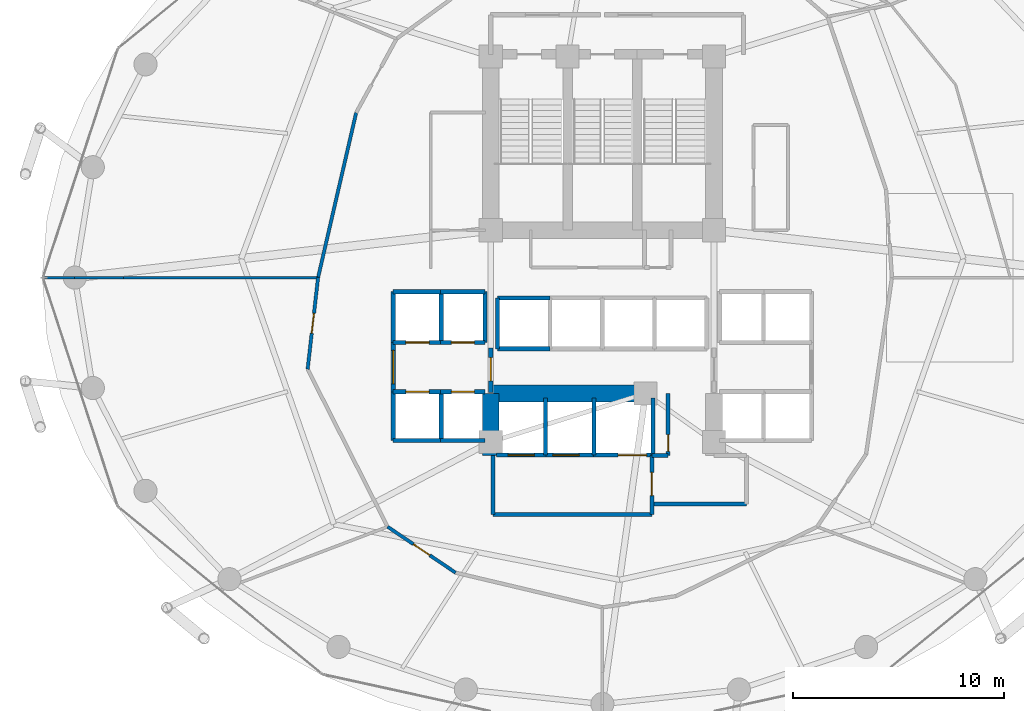
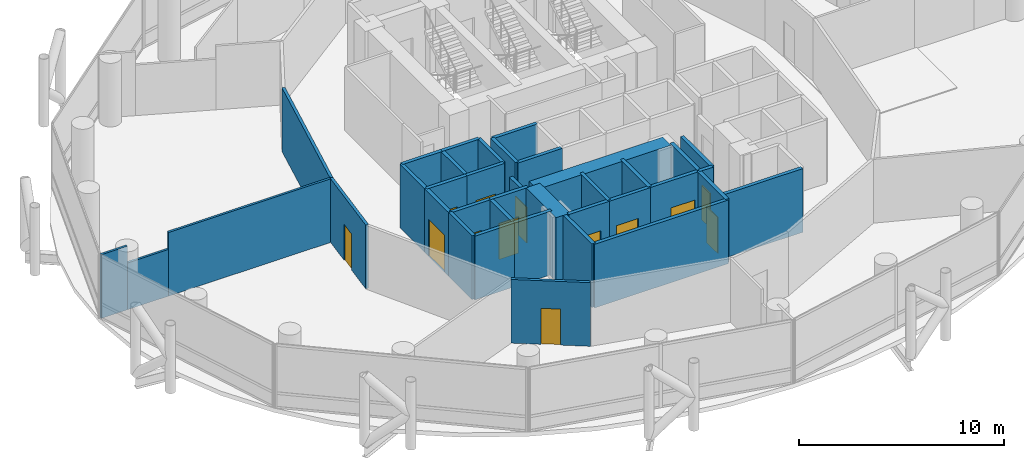
# One storey, part 21 of 26: 38 walls, 13 doors, 13 openings.
"""IFC4 building model written with IfcOpenShell, lengths in metres."""

from ifc_helpers import new_model, si_unit, direction, frame, frame_2d, origin, place, context, subcontext, project, spatial, rectangle, extrude, material, layer, layer_set, type_object, element, fill, save


model = new_model("IFC4")

# Units and contexts
model_context = context("Model", 3, precision=1e-05, world=origin(), true_north=direction((0.0, 1.0)))
body_context = subcontext(model_context, "Body", "Model", "MODEL_VIEW")
ifc_project = project(units=[si_unit("LENGTHUNIT", "METRE"), si_unit("AREAUNIT", "SQUARE_METRE"), si_unit("VOLUMEUNIT", "CUBIC_METRE"), si_unit("PLANEANGLEUNIT", "RADIAN"), si_unit("MASSUNIT", "GRAM", prefix="KILO")], contexts=[model_context])

# Site, building, storey
site_placement = place(None, origin())
site = spatial("IfcSite", under=ifc_project, at=site_placement, CompositionType="ELEMENT")
building_placement = place(site_placement, origin())
building = spatial("IfcBuilding", under=site, at=building_placement, Name="Nuhasar Tower", CompositionType="ELEMENT")
storey_placement = place(building_placement, frame((0.0, 0.0, 53.39990234375)))
storey = spatial("IfcBuildingStorey", under=building, at=storey_placement, Name="L12", CompositionType="ELEMENT", Elevation=53.39990234375)

# Walls
ifc_material_1 = material(Name="Concrete C80/95", Category="concrete")
ifc_layer_1 = layer(ifc_material_1, 0.800048828125)
ifc_layer_set_1 = layer_set([ifc_layer_1], Name="Concrete C80/95")
wall_type_1 = type_object("IfcWallType", Name="WL-CORE-800", PredefinedType="SHEAR", material=ifc_layer_set_1)
wall_1_placement = place(storey_placement, frame((33.699951171875, 18.35009765625, 0.0), z_axis=(0.0, 0.0, 1.0), x_axis=(0.0, 1.0, 0.0)))
element("IfcWall", 1, at=wall_1_placement, inside=storey, type_object=wall_type_1, Name="L12 Core Shear Wall CW-SW CW-800", PredefinedType="SHEAR", context=body_context, shape_type="SweptSolid", body=[
    extrude(rectangle(XDim=2.949951171875, YDim=0.800048828125, at=frame_2d((1.47509765625, 0.0))), origin(), (0.0, 0.0, 1.0), 3.800048828125),
])
wall_2_placement = place(storey_placement, frame((33.699951171875, 21.300048828125, 0.0), z_axis=(0.0, 0.0, 1.0), x_axis=(1.0, 0.0, 0.0)))
element("IfcWall", 2, at=wall_2_placement, inside=storey, type_object=wall_type_1, Name="L12 Core Shear Wall CW-S1 CW-800", PredefinedType="SHEAR", context=body_context, shape_type="SweptSolid", body=[
    extrude(rectangle(XDim=7.550048828125, YDim=0.800048828125, at=frame_2d((3.77490234375, 0.0))), origin(), (0.0, 0.0, 1.0), 3.800048828125),
])
ifc_material_2 = material(Name="Gypsum Board", Category="gypsum")
ifc_layer_2 = layer(ifc_material_2, 0.159912109375)
ifc_layer_set_2 = layer_set([ifc_layer_2], Name="Gypsum Board")
wall_type_2 = type_object("IfcWallType", Name="WL-CORR-160", PredefinedType="PARTITIONING", material=ifc_layer_set_2)
wall_3_placement = place(storey_placement, frame((27.30908203125, 34.6298828125, 0.0), z_axis=(0.0, 0.0, 1.0), x_axis=(-0.225119097915, -0.974331253606, 0.0)))
element("IfcWall", 3, at=wall_3_placement, inside=storey, type_object=wall_type_2, Name="L12 Interior Partition CORR-20", PredefinedType="PARTITIONING", context=body_context, shape_type="SweptSolid", body=[
    extrude(rectangle(XDim=8.0361328125, YDim=0.159912109375, at=frame_2d((4.01806640625, 0.0))), origin(), (0.0, 0.0, 1.0), 3.800048828125),
])

# Wall, opening, door
wall_4_placement = place(storey_placement, frame((25.0048828125, 22.449951171875, 0.0), z_axis=(0.0, 0.0, 1.0), x_axis=(0.113087354365, 0.993585049345, 0.0)))
wall_4 = element("IfcWall", 4, at=wall_4_placement, inside=storey, type_object=wall_type_2, Name="L12 Interior Partition CORR-24", PredefinedType="PARTITIONING", context=body_context, shape_type="SweptSolid", body=[
    extrude(rectangle(XDim=4.378173828125, YDim=0.159912109375, at=frame_2d((2.18896484375, 0.0))), origin(), (0.0, 0.0, 1.0), 3.800048828125),
])
opening_1_placement = place(wall_4_placement, frame((1.714111328125, 0.0, 0.0)))
opening_1 = element("IfcOpeningElement", 5, at=opening_1_placement, cuts=wall_4, Name="Opening DO-01", PredefinedType="OPENING", context=body_context, shape_type="SweptSolid", body=[
    extrude(rectangle(XDim=0.949951171875, YDim=2.14990234375, at=frame_2d((0.47509765625, 1.074951171875))), frame((0.0, 0.08984375, 0.0), z_axis=(0.0, -1.0, 0.0), x_axis=(1.0, 0.0, 0.0)), (0.0, 0.0, 1.0), 0.179931640625),
])
ifc_material_3 = material(Name="Timber Oak", Category="wood")
door_type_1 = type_object("IfcDoorType", Name="DR-OFFICE-FD30-950", OperationType="NOTDEFINED", PredefinedType="DOOR", material=ifc_material_3)
door_1_placement = place(opening_1_placement, origin())
door_1 = element("IfcDoor", 6, at=door_1_placement, inside=storey, type_object=door_type_1, Name="L12 Law Reference Library Entry Door", OperationType="SINGLE_SWING_LEFT", OverallHeight=2.14990234375, OverallWidth=0.949951171875, PredefinedType="DOOR", context=body_context, shape_type="SweptSolid", body=[
    extrude(rectangle(XDim=0.949951171875, YDim=2.14990234375, at=frame_2d((0.47509765625, 1.074951171875))), frame((0.0, 0.02490234375, 0.0), z_axis=(0.0, -1.0, 0.0), x_axis=(1.0, 0.0, 0.0)), (0.0, 0.0, 1.0), 0.050048828125),
])
fill(opening_1, door_1)

wall_5_placement = place(storey_placement, frame((32.027099609375, 12.7900390625, 0.0), z_axis=(0.0, 0.0, 1.0), x_axis=(-0.828570886609, 0.559884171828, 0.0)))
wall_5 = element("IfcWall", 7, at=wall_5_placement, inside=storey, type_object=wall_type_2, Name="L12 Interior Partition CORR-30", PredefinedType="PARTITIONING", context=body_context, shape_type="SweptSolid", body=[
    extrude(rectangle(XDim=3.8935546875, YDim=0.159912109375, at=frame_2d((1.94677734375, 0.0))), origin(), (0.0, 0.0, 1.0), 3.800048828125),
])
opening_2_placement = place(wall_5_placement, frame((1.471923828125, 0.0, 0.0)))
opening_2 = element("IfcOpeningElement", 8, at=opening_2_placement, cuts=wall_5, Name="Opening DO-01", PredefinedType="OPENING", context=body_context, shape_type="SweptSolid", body=[
    extrude(rectangle(XDim=0.949951171875, YDim=2.14990234375, at=frame_2d((0.47509765625, 1.074951171875))), frame((0.0, 0.08984375, 0.0), z_axis=(0.0, -1.0, 0.0), x_axis=(1.0, 0.0, 0.0)), (0.0, 0.0, 1.0), 0.179931640625),
])
door_2_placement = place(opening_2_placement, origin())
door_2 = element("IfcDoor", 9, at=door_2_placement, inside=storey, type_object=door_type_1, Name="L12 Legal Chambers C Entry Door", OperationType="SINGLE_SWING_LEFT", OverallHeight=2.14990234375, OverallWidth=0.949951171875, PredefinedType="DOOR", context=body_context, shape_type="SweptSolid", body=[
    extrude(rectangle(XDim=0.949951171875, YDim=2.14990234375, at=frame_2d((0.47509765625, 1.074951171875))), frame((0.0, 0.02490234375, 0.0), z_axis=(0.0, -1.0, 0.0), x_axis=(1.0, 0.0, 0.0)), (0.0, 0.0, 1.0), 0.050048828125),
])
fill(opening_2, door_2)

ifc_material_4 = material(Name="Concrete C45/55", Category="concrete")
ifc_layer_3 = layer(ifc_material_4, 0.199951171875)
ifc_layer_set_3 = layer_set([ifc_layer_3], Name="Concrete C45/55")
wall_type_3 = type_object("IfcWallType", Name="WL-LOBBY-200", PredefinedType="SOLIDWALL", material=ifc_layer_set_3)
wall_6_placement = place(storey_placement, frame((29.070068359375, 21.3798828125, 0.0), z_axis=(0.0, 0.0, 1.0), x_axis=(0.0, 1.0, 0.0)))
wall_6 = element("IfcWall", 10, at=wall_6_placement, inside=storey, type_object=wall_type_3, Name="L12 Interior Partition LLBL-W", PredefinedType="SOLIDWALL", context=body_context, shape_type="SweptSolid", body=[
    extrude(rectangle(XDim=2.340087890625, YDim=0.199951171875, at=frame_2d((1.169921875, 0.0))), origin(), (0.0, 0.0, 1.0), 3.800048828125),
])
opening_3_placement = place(wall_6_placement, frame((0.3701171875, 0.0, 0.0)))
opening_3 = element("IfcOpeningElement", 11, at=opening_3_placement, cuts=wall_6, Name="Opening DC-01", PredefinedType="OPENING", context=body_context, shape_type="SweptSolid", body=[
    extrude(rectangle(XDim=1.60009765625, YDim=2.199951171875, at=frame_2d((0.800048828125, 1.10009765625))), frame((0.0, 0.10986328125, 0.0), z_axis=(0.0, -1.0, 0.0), x_axis=(1.0, 0.0, 0.0)), (0.0, 0.0, 1.0), 0.219970703125),
])
ifc_material_5 = material(Name="Steel S355", Category="steel")
door_type_2 = type_object("IfcDoorType", Name="DR-CORR-FD60-1600", OperationType="DOUBLE_DOOR_SINGLE_SWING", PredefinedType="DOOR", material=ifc_material_5)
door_3_placement = place(opening_3_placement, origin())
door_3 = element("IfcDoor", 12, at=door_3_placement, inside=storey, type_object=door_type_2, Name="L12 Low-Rise Lift Lobby West Entry", OperationType="DOUBLE_DOOR_SINGLE_SWING", OverallHeight=2.199951171875, OverallWidth=1.60009765625, PredefinedType="DOOR", context=body_context, shape_type="SweptSolid", body=[
    extrude(rectangle(XDim=1.60009765625, YDim=2.199951171875, at=frame_2d((0.800048828125, 1.10009765625))), frame((0.0, 0.02490234375, 0.0), z_axis=(0.0, -1.0, 0.0), x_axis=(1.0, 0.0, 0.0)), (0.0, 0.0, 1.0), 0.050048828125),
])
fill(opening_3, door_3)

wall_7_placement = place(storey_placement, frame((33.699951171875, 21.35009765625, 0.0), z_axis=(0.0, 0.0, 1.0), x_axis=(0.0, 1.0, 0.0)))
wall_7 = element("IfcWall", 13, at=wall_7_placement, inside=storey, type_object=wall_type_3, Name="L12 Interior Partition LLBH-W", PredefinedType="SOLIDWALL", context=body_context, shape_type="SweptSolid", body=[
    extrude(rectangle(XDim=2.099853515625, YDim=0.199951171875, at=frame_2d((1.0498046875, 0.0))), origin(), (0.0, 0.0, 1.0), 3.02001953125),
])
opening_4_placement = place(wall_7_placement, frame((0.550048828125, 0.0, 0.0)))
opening_4 = element("IfcOpeningElement", 14, at=opening_4_placement, cuts=wall_7, Name="Opening DS-02", PredefinedType="OPENING", context=body_context, shape_type="SweptSolid", body=[
    extrude(rectangle(XDim=1.10009765625, YDim=2.14990234375, at=frame_2d((0.550048828125, 1.074951171875))), frame((0.0, 0.10986328125, 0.0), z_axis=(0.0, -1.0, 0.0), x_axis=(1.0, 0.0, 0.0)), (0.0, 0.0, 1.0), 0.219970703125),
])
door_type_3 = type_object("IfcDoorType", Name="DR-FFL-FD120-1100", OperationType="NOTDEFINED", PredefinedType="DOOR", material=ifc_material_5)
door_4_placement = place(opening_4_placement, origin())
door_4 = element("IfcDoor", 15, at=door_4_placement, inside=storey, type_object=door_type_3, Name="L12 High-Rise Lobby West Door", OperationType="SINGLE_SWING_RIGHT", OverallHeight=2.14990234375, OverallWidth=1.10009765625, PredefinedType="DOOR", context=body_context, shape_type="SweptSolid", body=[
    extrude(rectangle(XDim=1.10009765625, YDim=2.14990234375, at=frame_2d((0.550048828125, 1.074951171875))), frame((0.0, 0.02490234375, 0.0), z_axis=(0.0, -1.0, 0.0), x_axis=(1.0, 0.0, 0.0)), (0.0, 0.0, 1.0), 0.050048828125),
])
fill(opening_4, door_4)

# Walls
wall_8_placement = place(storey_placement, frame((33.800048828125, 15.550048828125, 0.0), z_axis=(0.0, 0.0, 1.0), x_axis=(1.0, 0.0, 0.0)))
element("IfcWall", 16, at=wall_8_placement, inside=storey, type_object=wall_type_3, Name="L12 Interior Partition FFL-S", PredefinedType="SOLIDWALL", context=body_context, shape_type="SweptSolid", body=[
    extrude(rectangle(XDim=7.550048828125, YDim=0.199951171875, at=frame_2d((3.77490234375, 0.0))), origin(), (0.0, 0.0, 1.0), 3.800048828125),
])
wall_9_placement = place(storey_placement, frame((33.800048828125, 15.550048828125, 0.0), z_axis=(0.0, 0.0, 1.0), x_axis=(0.0, 1.0, 0.0)))
element("IfcWall", 17, at=wall_9_placement, inside=storey, type_object=wall_type_3, Name="L12 Interior Partition FFL-W", PredefinedType="SOLIDWALL", context=body_context, shape_type="SweptSolid", body=[
    extrude(rectangle(XDim=2.800048828125, YDim=0.199951171875, at=frame_2d((1.39990234375, 0.0))), origin(), (0.0, 0.0, 1.0), 3.800048828125),
])

# Wall, opening, door
wall_10_placement = place(storey_placement, frame((41.35009765625, 15.550048828125, 0.0), z_axis=(0.0, 0.0, 1.0), x_axis=(0.0, 1.0, 0.0)))
wall_10 = element("IfcWall", 18, at=wall_10_placement, inside=storey, type_object=wall_type_3, Name="L12 Interior Partition FFL-E", PredefinedType="SOLIDWALL", context=body_context, shape_type="SweptSolid", body=[
    extrude(rectangle(XDim=2.800048828125, YDim=0.199951171875, at=frame_2d((1.39990234375, 0.0))), origin(), (0.0, 0.0, 1.0), 3.800048828125),
])
opening_5_placement = place(wall_10_placement, frame((0.89990234375, 0.0, 0.0)))
opening_5 = element("IfcOpeningElement", 19, at=opening_5_placement, cuts=wall_10, Name="Opening DS-02", PredefinedType="OPENING", context=body_context, shape_type="SweptSolid", body=[
    extrude(rectangle(XDim=1.10009765625, YDim=2.14990234375, at=frame_2d((0.550048828125, 1.074951171875))), frame((0.0, 0.10986328125, 0.0), z_axis=(0.0, -1.0, 0.0), x_axis=(1.0, 0.0, 0.0)), (0.0, 0.0, 1.0), 0.219970703125),
])
door_5_placement = place(opening_5_placement, origin())
door_5 = element("IfcDoor", 20, at=door_5_placement, inside=storey, type_object=door_type_3, Name="L12 Firefighting Lobby Door", OperationType="SINGLE_SWING_RIGHT", OverallHeight=2.14990234375, OverallWidth=1.10009765625, PredefinedType="DOOR", context=body_context, shape_type="SweptSolid", body=[
    extrude(rectangle(XDim=1.10009765625, YDim=2.14990234375, at=frame_2d((0.550048828125, 1.074951171875))), frame((0.0, 0.02490234375, 0.0), z_axis=(0.0, -1.0, 0.0), x_axis=(1.0, 0.0, 0.0)), (0.0, 0.0, 1.0), 0.050048828125),
])
fill(opening_5, door_5)

# Walls
wall_11_placement = place(storey_placement, frame((41.35009765625, 16.050048828125, 0.0), z_axis=(0.0, 0.0, 1.0), x_axis=(1.0, 0.0, 0.0)))
element("IfcWall", 21, at=wall_11_placement, inside=storey, type_object=wall_type_3, Name="L12 Interior Partition SVLV-S", PredefinedType="SOLIDWALL", context=body_context, shape_type="SweptSolid", body=[
    extrude(rectangle(XDim=4.5, YDim=0.199951171875, at=frame_2d((2.25, 0.0))), origin(), (0.0, 0.0, 1.0), 3.800048828125),
])
ifc_layer_4 = layer(ifc_material_2, 0.125)
ifc_layer_set_4 = layer_set([ifc_layer_4], Name="Gypsum Board")
wall_type_4 = type_object("IfcWallType", Name="WL-PART-125", PredefinedType="PARTITIONING", material=ifc_layer_set_4)
wall_12_placement = place(storey_placement, frame((25.5, 26.800048828125, 0.0), z_axis=(0.0, 0.0, 1.0), x_axis=(-1.0, 0.0, 0.0)))
element("IfcWall", 22, at=wall_12_placement, inside=storey, type_object=wall_type_4, Name="L12 Interior Partition ORAD-24", PredefinedType="PARTITIONING", context=body_context, shape_type="SweptSolid", body=[
    extrude(rectangle(XDim=9.22998046875, YDim=0.125, at=frame_2d((4.614990234375, 0.0))), origin(), (0.0, 0.0, 1.0), 3.800048828125),
])
wall_13_placement = place(storey_placement, frame((16.27001953125, 26.800048828125, 0.0), z_axis=(0.0, 0.0, 1.0), x_axis=(-1.0, 0.0, 0.0)))
element("IfcWall", 23, at=wall_13_placement, inside=storey, type_object=wall_type_4, Name="L12 Interior Partition ORAD-24", PredefinedType="PARTITIONING", context=body_context, shape_type="SweptSolid", body=[
    extrude(rectangle(XDim=2.326904296875, YDim=0.125, at=frame_2d((1.16357421875, 0.0))), origin(), (0.0, 0.0, 1.0), 2.7900390625),
])
wall_14_placement = place(storey_placement, frame((13.943115234375, 26.800048828125, 0.0), z_axis=(0.0, 0.0, 1.0), x_axis=(-1.0, 0.0, 0.0)))
element("IfcWall", 24, at=wall_14_placement, inside=storey, type_object=wall_type_4, Name="L12 Interior Partition ORAD-24", PredefinedType="PARTITIONING", context=body_context, shape_type="SweptSolid", body=[
    extrude(rectangle(XDim=1.468017578125, YDim=0.125, at=frame_2d((0.73388671875, 0.0))), origin(), (0.0, 0.0, 1.0), 3.800048828125),
])

# Wall, opening, door
ifc_layer_5 = layer(ifc_material_4, 0.199951171875)
ifc_layer_set_5 = layer_set([ifc_layer_5], Name="Concrete C45/55")
wall_type_5 = type_object("IfcWallType", Name="WL-SHAFT-200", PredefinedType="SOLIDWALL", material=ifc_layer_set_5)
wall_15_placement = place(storey_placement, frame((29.070068359375, 23.719970703125, 0.0), z_axis=(0.0, 0.0, 1.0), x_axis=(1.0, 0.0, 0.0)))
wall_15 = element("IfcWall", 25, at=wall_15_placement, inside=storey, type_object=wall_type_5, Name="L12 Interior Partition SHF-PL-L01-S", PredefinedType="SOLIDWALL", context=body_context, shape_type="SweptSolid", body=[
    extrude(rectangle(XDim=2.309814453125, YDim=0.199951171875, at=frame_2d((1.15478515625, 0.0))), origin(), (0.0, 0.0, 1.0), 3.800048828125),
])
opening_6_placement = place(wall_15_placement, frame((0.60498046875, 0.0, 0.0)))
opening_6 = element("IfcOpeningElement", 26, at=opening_6_placement, cuts=wall_15, Name="Opening LD-L01", PredefinedType="OPENING", context=body_context, shape_type="SweptSolid", body=[
    extrude(rectangle(XDim=1.10009765625, YDim=2.14990234375, at=frame_2d((0.550048828125, 1.074951171875))), frame((0.0, 0.10986328125, 0.0), z_axis=(0.0, -1.0, 0.0), x_axis=(1.0, 0.0, 0.0)), (0.0, 0.0, 1.0), 0.219970703125),
])
ifc_material_6 = material(Name="Stainless Steel 316L", Category="steel")
door_type_4 = type_object("IfcDoorType", Name="LD-PAX-1100", OperationType="DOUBLE_DOOR_SLIDING", PredefinedType="DOOR", material=ifc_material_6)
door_6_placement = place(opening_6_placement, origin())
door_6 = element("IfcDoor", 27, at=door_6_placement, inside=storey, type_object=door_type_4, Name="L12 Lift Landing Door PL-L01", OperationType="DOUBLE_DOOR_SLIDING", OverallHeight=2.14990234375, OverallWidth=1.10009765625, PredefinedType="DOOR", context=body_context, shape_type="SweptSolid", body=[
    extrude(rectangle(XDim=1.10009765625, YDim=2.14990234375, at=frame_2d((0.550048828125, 1.074951171875))), frame((0.0, 0.02490234375, 0.0), z_axis=(0.0, -1.0, 0.0), x_axis=(1.0, 0.0, 0.0)), (0.0, 0.0, 1.0), 0.050048828125),
])
fill(opening_6, door_6)

# Walls
wall_16_placement = place(storey_placement, frame((29.070068359375, 26.1298828125, 0.0), z_axis=(0.0, 0.0, 1.0), x_axis=(1.0, 0.0, 0.0)))
element("IfcWall", 28, at=wall_16_placement, inside=storey, type_object=wall_type_5, Name="L12 Interior Partition SHF-PL-L01-N", PredefinedType="SOLIDWALL", context=body_context, shape_type="SweptSolid", body=[
    extrude(rectangle(XDim=2.309814453125, YDim=0.199951171875, at=frame_2d((1.15478515625, 0.0))), origin(), (0.0, 0.0, 1.0), 3.800048828125),
])
for number, where, z_axis, x_axis, name in (
    (29, (29.070068359375, 23.719970703125, 0.0), (0.0, 0.0, 1.0), (0.0, 1.0, 0.0), "L12 Interior Partition SHF-PL-L01-W"),
    (30, (31.35009765625, 23.719970703125, 0.0), (0.0, 0.0, 1.0), (0.0, 1.0, 0.0), "L12 Interior Partition SHF-PL-L01-E"),
):
    element("IfcWall", number, at=place(storey_placement, frame(where, z_axis=z_axis, x_axis=x_axis)), inside=storey, type_object=wall_type_5, Name=name, PredefinedType="SOLIDWALL", context=body_context, shape_type="SweptSolid", body=[
        extrude(rectangle(XDim=2.409912109375, YDim=0.199951171875, at=frame_2d((1.205078125, 0.0))), origin(), (0.0, 0.0, 1.0), 3.800048828125),
    ])

# Wall, opening, door
wall_17_placement = place(storey_placement, frame((31.320068359375, 23.719970703125, 0.0), z_axis=(0.0, 0.0, 1.0), x_axis=(1.0, 0.0, 0.0)))
wall_17 = element("IfcWall", 31, at=wall_17_placement, inside=storey, type_object=wall_type_5, Name="L12 Interior Partition SHF-PL-L02-S", PredefinedType="SOLIDWALL", context=body_context, shape_type="SweptSolid", body=[
    extrude(rectangle(XDim=2.10986328125, YDim=0.199951171875, at=frame_2d((1.054931640625, 0.0))), origin(), (0.0, 0.0, 1.0), 3.800048828125),
])
opening_7_placement = place(wall_17_placement, frame((0.5048828125, 0.0, 0.0)))
opening_7 = element("IfcOpeningElement", 32, at=opening_7_placement, cuts=wall_17, Name="Opening LD-L02", PredefinedType="OPENING", context=body_context, shape_type="SweptSolid", body=[
    extrude(rectangle(XDim=1.10009765625, YDim=2.14990234375, at=frame_2d((0.550048828125, 1.074951171875))), frame((0.0, 0.10986328125, 0.0), z_axis=(0.0, -1.0, 0.0), x_axis=(1.0, 0.0, 0.0)), (0.0, 0.0, 1.0), 0.219970703125),
])
door_7_placement = place(opening_7_placement, origin())
door_7 = element("IfcDoor", 33, at=door_7_placement, inside=storey, type_object=door_type_4, Name="L12 Lift Landing Door PL-L02", OperationType="DOUBLE_DOOR_SLIDING", OverallHeight=2.14990234375, OverallWidth=1.10009765625, PredefinedType="DOOR", context=body_context, shape_type="SweptSolid", body=[
    extrude(rectangle(XDim=1.10009765625, YDim=2.14990234375, at=frame_2d((0.550048828125, 1.074951171875))), frame((0.0, 0.02490234375, 0.0), z_axis=(0.0, -1.0, 0.0), x_axis=(1.0, 0.0, 0.0)), (0.0, 0.0, 1.0), 0.050048828125),
])
fill(opening_7, door_7)

# Walls
wall_18_placement = place(storey_placement, frame((31.320068359375, 26.1298828125, 0.0), z_axis=(0.0, 0.0, 1.0), x_axis=(1.0, 0.0, 0.0)))
element("IfcWall", 34, at=wall_18_placement, inside=storey, type_object=wall_type_5, Name="L12 Interior Partition SHF-PL-L02-N", PredefinedType="SOLIDWALL", context=body_context, shape_type="SweptSolid", body=[
    extrude(rectangle(XDim=2.10986328125, YDim=0.199951171875, at=frame_2d((1.054931640625, 0.0))), origin(), (0.0, 0.0, 1.0), 3.800048828125),
])
wall_19_placement = place(storey_placement, frame((33.429931640625, 23.719970703125, 0.0), z_axis=(0.0, 0.0, 1.0), x_axis=(0.0, 1.0, 0.0)))
element("IfcWall", 35, at=wall_19_placement, inside=storey, type_object=wall_type_5, Name="L12 Interior Partition SHF-PL-L02-E", PredefinedType="SOLIDWALL", context=body_context, shape_type="SweptSolid", body=[
    extrude(rectangle(XDim=2.409912109375, YDim=0.199951171875, at=frame_2d((1.205078125, 0.0))), origin(), (0.0, 0.0, 1.0), 3.800048828125),
])
wall_20_placement = place(storey_placement, frame((29.070068359375, 19.070068359375, 0.0), z_axis=(0.0, 0.0, 1.0), x_axis=(1.0, 0.0, 0.0)))
element("IfcWall", 36, at=wall_20_placement, inside=storey, type_object=wall_type_5, Name="L12 Interior Partition SHF-PL-L03-S", PredefinedType="SOLIDWALL", context=body_context, shape_type="SweptSolid", body=[
    extrude(rectangle(XDim=2.309814453125, YDim=0.199951171875, at=frame_2d((1.15478515625, 0.0))), origin(), (0.0, 0.0, 1.0), 3.800048828125),
])

# Wall, opening, door
wall_21_placement = place(storey_placement, frame((29.070068359375, 21.3798828125, 0.0), z_axis=(0.0, 0.0, 1.0), x_axis=(1.0, 0.0, 0.0)))
wall_21 = element("IfcWall", 37, at=wall_21_placement, inside=storey, type_object=wall_type_5, Name="L12 Interior Partition SHF-PL-L03-N", PredefinedType="SOLIDWALL", context=body_context, shape_type="SweptSolid", body=[
    extrude(rectangle(XDim=2.309814453125, YDim=0.199951171875, at=frame_2d((1.15478515625, 0.0))), origin(), (0.0, 0.0, 1.0), 3.800048828125),
])
opening_8_placement = place(wall_21_placement, frame((0.60498046875, 0.0, 0.0)))
opening_8 = element("IfcOpeningElement", 38, at=opening_8_placement, cuts=wall_21, Name="Opening LD-L03", PredefinedType="OPENING", context=body_context, shape_type="SweptSolid", body=[
    extrude(rectangle(XDim=1.10009765625, YDim=2.14990234375, at=frame_2d((0.550048828125, 1.074951171875))), frame((0.0, 0.10986328125, 0.0), z_axis=(0.0, -1.0, 0.0), x_axis=(1.0, 0.0, 0.0)), (0.0, 0.0, 1.0), 0.219970703125),
])
door_8_placement = place(opening_8_placement, origin())
door_8 = element("IfcDoor", 39, at=door_8_placement, inside=storey, type_object=door_type_4, Name="L12 Lift Landing Door PL-L03", OperationType="DOUBLE_DOOR_SLIDING", OverallHeight=2.14990234375, OverallWidth=1.10009765625, PredefinedType="DOOR", context=body_context, shape_type="SweptSolid", body=[
    extrude(rectangle(XDim=1.10009765625, YDim=2.14990234375, at=frame_2d((0.550048828125, 1.074951171875))), frame((0.0, 0.02490234375, 0.0), z_axis=(0.0, -1.0, 0.0), x_axis=(1.0, 0.0, 0.0)), (0.0, 0.0, 1.0), 0.050048828125),
])
fill(opening_8, door_8)

# Walls
for number, where, z_axis, x_axis, name in (
    (40, (29.070068359375, 19.070068359375, 0.0), (0.0, 0.0, 1.0), (0.0, 1.0, 0.0), "L12 Interior Partition SHF-PL-L03-W"),
    (41, (31.35009765625, 19.070068359375, 0.0), (0.0, 0.0, 1.0), (0.0, 1.0, 0.0), "L12 Interior Partition SHF-PL-L03-E"),
):
    element("IfcWall", number, at=place(storey_placement, frame(where, z_axis=z_axis, x_axis=x_axis)), inside=storey, type_object=wall_type_5, Name=name, PredefinedType="SOLIDWALL", context=body_context, shape_type="SweptSolid", body=[
        extrude(rectangle(XDim=2.309814453125, YDim=0.199951171875, at=frame_2d((1.15478515625, 0.0))), origin(), (0.0, 0.0, 1.0), 3.800048828125),
    ])
wall_22_placement = place(storey_placement, frame((31.320068359375, 19.070068359375, 0.0), z_axis=(0.0, 0.0, 1.0), x_axis=(1.0, 0.0, 0.0)))
element("IfcWall", 42, at=wall_22_placement, inside=storey, type_object=wall_type_5, Name="L12 Interior Partition SHF-PL-L04-S", PredefinedType="SOLIDWALL", context=body_context, shape_type="SweptSolid", body=[
    extrude(rectangle(XDim=2.10986328125, YDim=0.199951171875, at=frame_2d((1.054931640625, 0.0))), origin(), (0.0, 0.0, 1.0), 3.800048828125),
])

# Wall, opening, door
wall_23_placement = place(storey_placement, frame((31.320068359375, 21.3798828125, 0.0), z_axis=(0.0, 0.0, 1.0), x_axis=(1.0, 0.0, 0.0)))
wall_23 = element("IfcWall", 43, at=wall_23_placement, inside=storey, type_object=wall_type_5, Name="L12 Interior Partition SHF-PL-L04-N", PredefinedType="SOLIDWALL", context=body_context, shape_type="SweptSolid", body=[
    extrude(rectangle(XDim=2.10986328125, YDim=0.199951171875, at=frame_2d((1.054931640625, 0.0))), origin(), (0.0, 0.0, 1.0), 3.800048828125),
])
opening_9_placement = place(wall_23_placement, frame((0.5048828125, 0.0, 0.0)))
opening_9 = element("IfcOpeningElement", 44, at=opening_9_placement, cuts=wall_23, Name="Opening LD-L04", PredefinedType="OPENING", context=body_context, shape_type="SweptSolid", body=[
    extrude(rectangle(XDim=1.10009765625, YDim=2.14990234375, at=frame_2d((0.550048828125, 1.074951171875))), frame((0.0, 0.10986328125, 0.0), z_axis=(0.0, -1.0, 0.0), x_axis=(1.0, 0.0, 0.0)), (0.0, 0.0, 1.0), 0.219970703125),
])
door_9_placement = place(opening_9_placement, origin())
door_9 = element("IfcDoor", 45, at=door_9_placement, inside=storey, type_object=door_type_4, Name="L12 Lift Landing Door PL-L04", OperationType="DOUBLE_DOOR_SLIDING", OverallHeight=2.14990234375, OverallWidth=1.10009765625, PredefinedType="DOOR", context=body_context, shape_type="SweptSolid", body=[
    extrude(rectangle(XDim=1.10009765625, YDim=2.14990234375, at=frame_2d((0.550048828125, 1.074951171875))), frame((0.0, 0.02490234375, 0.0), z_axis=(0.0, -1.0, 0.0), x_axis=(1.0, 0.0, 0.0)), (0.0, 0.0, 1.0), 0.050048828125),
])
fill(opening_9, door_9)

# Walls
for number, where, z_axis, x_axis, name in (
    (46, (34.02001953125, 23.419921875, 0.0), (0.0, 0.0, 1.0), (1.0, 0.0, 0.0), "L12 Interior Partition SHF-PL-H01-S"),
    (47, (34.02001953125, 25.830078125, 0.0), (0.0, 0.0, 1.0), (1.0, 0.0, 0.0), "L12 Interior Partition SHF-PL-H01-N"),
):
    element("IfcWall", number, at=place(storey_placement, frame(where, z_axis=z_axis, x_axis=x_axis)), inside=storey, type_object=wall_type_5, Name=name, PredefinedType="SOLIDWALL", context=body_context, shape_type="SweptSolid", body=[
        extrude(rectangle(XDim=2.5, YDim=0.199951171875, at=frame_2d((1.25, 0.0))), origin(), (0.0, 0.0, 1.0), 3.800048828125),
    ])
wall_24_placement = place(storey_placement, frame((34.02001953125, 23.419921875, 0.0), z_axis=(0.0, 0.0, 1.0), x_axis=(0.0, 1.0, 0.0)))
element("IfcWall", 48, at=wall_24_placement, inside=storey, type_object=wall_type_5, Name="L12 Interior Partition SHF-PL-H01-W", PredefinedType="SOLIDWALL", context=body_context, shape_type="SweptSolid", body=[
    extrude(rectangle(XDim=2.41015625, YDim=0.199951171875, at=frame_2d((1.205078125, 0.0))), origin(), (0.0, 0.0, 1.0), 3.800048828125),
])

# Wall, opening, door
wall_25_placement = place(storey_placement, frame((33.969970703125, 18.3701171875, 0.0), z_axis=(0.0, 0.0, 1.0), x_axis=(1.0, 0.0, 0.0)))
wall_25 = element("IfcWall", 49, at=wall_25_placement, inside=storey, type_object=wall_type_5, Name="L12 Interior Partition SHF-FFL-01-S", PredefinedType="SOLIDWALL", context=body_context, shape_type="SweptSolid", body=[
    extrude(rectangle(XDim=2.360107421875, YDim=0.199951171875, at=frame_2d((1.18017578125, 0.0))), origin(), (0.0, 0.0, 1.0), 3.800048828125),
])
opening_10_placement = place(wall_25_placement, frame((0.554931640625, 0.0, 0.0)))
opening_10 = element("IfcOpeningElement", 50, at=opening_10_placement, cuts=wall_25, Name="Opening LD-F01", PredefinedType="OPENING", context=body_context, shape_type="SweptSolid", body=[
    extrude(rectangle(XDim=1.25, YDim=2.199951171875, at=frame_2d((0.625, 1.10009765625))), frame((0.0, 0.10986328125, 0.0), z_axis=(0.0, -1.0, 0.0), x_axis=(1.0, 0.0, 0.0)), (0.0, 0.0, 1.0), 0.219970703125),
])
door_type_5 = type_object("IfcDoorType", Name="LD-FFL-1250", OperationType="DOUBLE_DOOR_SLIDING", PredefinedType="DOOR", material=ifc_material_6)
door_10_placement = place(opening_10_placement, origin())
door_10 = element("IfcDoor", 51, at=door_10_placement, inside=storey, type_object=door_type_5, Name="L12 Lift Landing Door FFL-01", OperationType="DOUBLE_DOOR_SLIDING", OverallHeight=2.199951171875, OverallWidth=1.25, PredefinedType="DOOR", context=body_context, shape_type="SweptSolid", body=[
    extrude(rectangle(XDim=1.25, YDim=2.199951171875, at=frame_2d((0.625, 1.10009765625))), frame((0.0, 0.02490234375, 0.0), z_axis=(0.0, -1.0, 0.0), x_axis=(1.0, 0.0, 0.0)), (0.0, 0.0, 1.0), 0.050048828125),
])
fill(opening_10, door_10)

# Wall
wall_26_placement = place(storey_placement, frame((36.300048828125, 18.3701171875, 0.0), z_axis=(0.0, 0.0, 1.0), x_axis=(0.0, 1.0, 0.0)))
element("IfcWall", 52, at=wall_26_placement, inside=storey, type_object=wall_type_5, Name="L12 Interior Partition SHF-FFL-01-E", PredefinedType="SOLIDWALL", context=body_context, shape_type="SweptSolid", body=[
    extrude(rectangle(XDim=2.7099609375, YDim=0.199951171875, at=frame_2d((1.35498046875, 0.0))), origin(), (0.0, 0.0, 1.0), 3.800048828125),
])

# Wall, opening, door
wall_27_placement = place(storey_placement, frame((36.27001953125, 18.3701171875, 0.0), z_axis=(0.0, 0.0, 1.0), x_axis=(1.0, 0.0, 0.0)))
wall_27 = element("IfcWall", 53, at=wall_27_placement, inside=storey, type_object=wall_type_5, Name="L12 Interior Partition SHF-FFL-02-S", PredefinedType="SOLIDWALL", context=body_context, shape_type="SweptSolid", body=[
    extrude(rectangle(XDim=2.35986328125, YDim=0.199951171875, at=frame_2d((1.179931640625, 0.0))), origin(), (0.0, 0.0, 1.0), 3.800048828125),
])
opening_11_placement = place(wall_27_placement, frame((0.3798828125, 0.0, 0.0)))
opening_11 = element("IfcOpeningElement", 54, at=opening_11_placement, cuts=wall_27, Name="Opening LD-F02", PredefinedType="OPENING", context=body_context, shape_type="SweptSolid", body=[
    extrude(rectangle(XDim=1.25, YDim=2.199951171875, at=frame_2d((0.625, 1.10009765625))), frame((0.0, 0.10986328125, 0.0), z_axis=(0.0, -1.0, 0.0), x_axis=(1.0, 0.0, 0.0)), (0.0, 0.0, 1.0), 0.219970703125),
])
door_11_placement = place(opening_11_placement, origin())
door_11 = element("IfcDoor", 55, at=door_11_placement, inside=storey, type_object=door_type_5, Name="L12 Lift Landing Door FFL-02", OperationType="DOUBLE_DOOR_SLIDING", OverallHeight=2.199951171875, OverallWidth=1.25, PredefinedType="DOOR", context=body_context, shape_type="SweptSolid", body=[
    extrude(rectangle(XDim=1.25, YDim=2.199951171875, at=frame_2d((0.625, 1.10009765625))), frame((0.0, 0.02490234375, 0.0), z_axis=(0.0, -1.0, 0.0), x_axis=(1.0, 0.0, 0.0)), (0.0, 0.0, 1.0), 0.050048828125),
])
fill(opening_11, door_11)

# Wall
wall_28_placement = place(storey_placement, frame((38.60009765625, 18.3701171875, 0.0), z_axis=(0.0, 0.0, 1.0), x_axis=(0.0, 1.0, 0.0)))
element("IfcWall", 56, at=wall_28_placement, inside=storey, type_object=wall_type_5, Name="L12 Interior Partition SHF-FFL-02-E", PredefinedType="SOLIDWALL", context=body_context, shape_type="SweptSolid", body=[
    extrude(rectangle(XDim=2.7099609375, YDim=0.199951171875, at=frame_2d((1.35498046875, 0.0))), origin(), (0.0, 0.0, 1.0), 3.800048828125),
])

# Wall, opening, door
wall_29_placement = place(storey_placement, frame((38.570068359375, 18.3701171875, 0.0), z_axis=(0.0, 0.0, 1.0), x_axis=(1.0, 0.0, 0.0)))
wall_29 = element("IfcWall", 57, at=wall_29_placement, inside=storey, type_object=wall_type_5, Name="L12 Interior Partition SHF-SVL-01-S", PredefinedType="SOLIDWALL", context=body_context, shape_type="SweptSolid", body=[
    extrude(rectangle(XDim=2.829833984375, YDim=0.199951171875, at=frame_2d((1.4150390625, 0.0))), origin(), (0.0, 0.0, 1.0), 3.800048828125),
])
opening_12_placement = place(wall_29_placement, frame((1.179931640625, 0.0, 0.0)))
opening_12 = element("IfcOpeningElement", 58, at=opening_12_placement, cuts=wall_29, Name="Opening LD-S01", PredefinedType="OPENING", context=body_context, shape_type="SweptSolid", body=[
    extrude(rectangle(XDim=1.35009765625, YDim=2.179931640625, at=frame_2d((0.675048828125, 1.08984375))), frame((0.0, 0.10986328125, 0.0), z_axis=(0.0, -1.0, 0.0), x_axis=(1.0, 0.0, 0.0)), (0.0, 0.0, 1.0), 0.219970703125),
])
door_type_6 = type_object("IfcDoorType", Name="LD-SVL-1350", OperationType="DOUBLE_DOOR_SLIDING", PredefinedType="DOOR", material=ifc_material_6)
door_12_placement = place(opening_12_placement, origin())
door_12 = element("IfcDoor", 59, at=door_12_placement, inside=storey, type_object=door_type_6, Name="L12 Lift Landing Door SVL-01", OperationType="DOUBLE_DOOR_SLIDING", OverallHeight=2.179931640625, OverallWidth=1.35009765625, PredefinedType="DOOR", context=body_context, shape_type="SweptSolid", body=[
    extrude(rectangle(XDim=1.35009765625, YDim=2.179931640625, at=frame_2d((0.675048828125, 1.08984375))), frame((0.0, 0.02490234375, 0.0), z_axis=(0.0, -1.0, 0.0), x_axis=(1.0, 0.0, 0.0)), (0.0, 0.0, 1.0), 0.050048828125),
])
fill(opening_12, door_12)

# Wall
wall_30_placement = place(storey_placement, frame((41.39990234375, 18.3701171875, 0.0), z_axis=(0.0, 0.0, 1.0), x_axis=(0.0, 1.0, 0.0)))
element("IfcWall", 60, at=wall_30_placement, inside=storey, type_object=wall_type_5, Name="L12 Interior Partition SHF-SVL-01-E", PredefinedType="SOLIDWALL", context=body_context, shape_type="SweptSolid", body=[
    extrude(rectangle(XDim=2.7099609375, YDim=0.199951171875, at=frame_2d((1.35498046875, 0.0))), origin(), (0.0, 0.0, 1.0), 3.800048828125),
])

# Wall, opening, door
wall_31_placement = place(storey_placement, frame((42.1201171875, 18.35009765625, 0.0), z_axis=(0.0, 0.0, 1.0), x_axis=(0.0, 1.0, 0.0)))
wall_31 = element("IfcWall", 61, at=wall_31_placement, inside=storey, type_object=wall_type_5, Name="L12 Interior Partition RSR-E", PredefinedType="SOLIDWALL", context=body_context, shape_type="SweptSolid", body=[
    extrude(rectangle(XDim=2.949951171875, YDim=0.199951171875, at=frame_2d((1.47509765625, 0.0))), origin(), (0.0, 0.0, 1.0), 3.800048828125),
])
opening_13_placement = place(wall_31_placement, frame((0.199951171875, 0.0, 0.0)))
opening_13 = element("IfcOpeningElement", 62, at=opening_13_placement, cuts=wall_31, Name="Opening DM-01", PredefinedType="OPENING", context=body_context, shape_type="SweptSolid", body=[
    extrude(rectangle(XDim=0.800048828125, YDim=2.050048828125, at=frame_2d((0.39990234375, 1.02490234375))), frame((0.0, 0.10986328125, 0.0), z_axis=(0.0, -1.0, 0.0), x_axis=(1.0, 0.0, 0.0)), (0.0, 0.0, 1.0), 0.219970703125),
])
door_type_7 = type_object("IfcDoorType", Name="DR-RISER-FD60-800", OperationType="NOTDEFINED", PredefinedType="DOOR", material=ifc_material_5)
door_13_placement = place(opening_13_placement, origin())
door_13 = element("IfcDoor", 63, at=door_13_placement, inside=storey, type_object=door_type_7, Name="L12 MEP Riser Access Door", OperationType="SINGLE_SWING_LEFT", OverallHeight=2.050048828125, OverallWidth=0.800048828125, PredefinedType="DOOR", context=body_context, shape_type="SweptSolid", body=[
    extrude(rectangle(XDim=0.800048828125, YDim=2.050048828125, at=frame_2d((0.39990234375, 1.02490234375))), frame((0.0, 0.02490234375, 0.0), z_axis=(0.0, -1.0, 0.0), x_axis=(1.0, 0.0, 0.0)), (0.0, 0.0, 1.0), 0.050048828125),
])
fill(opening_13, door_13)

# Wall
wall_32_placement = place(storey_placement, frame((41.35009765625, 18.35009765625, 0.0), z_axis=(0.0, 0.0, 1.0), x_axis=(1.0, 0.0, 0.0)))
element("IfcWall", 64, at=wall_32_placement, inside=storey, type_object=wall_type_5, Name="L12 Interior Partition RSR-S", PredefinedType="SOLIDWALL", context=body_context, shape_type="SweptSolid", body=[
    extrude(rectangle(XDim=0.77001953125, YDim=0.199951171875, at=frame_2d((0.385009765625, 0.0))), origin(), (0.0, 0.0, 1.0), 3.800048828125),
])

save(model, "model.ifc")
